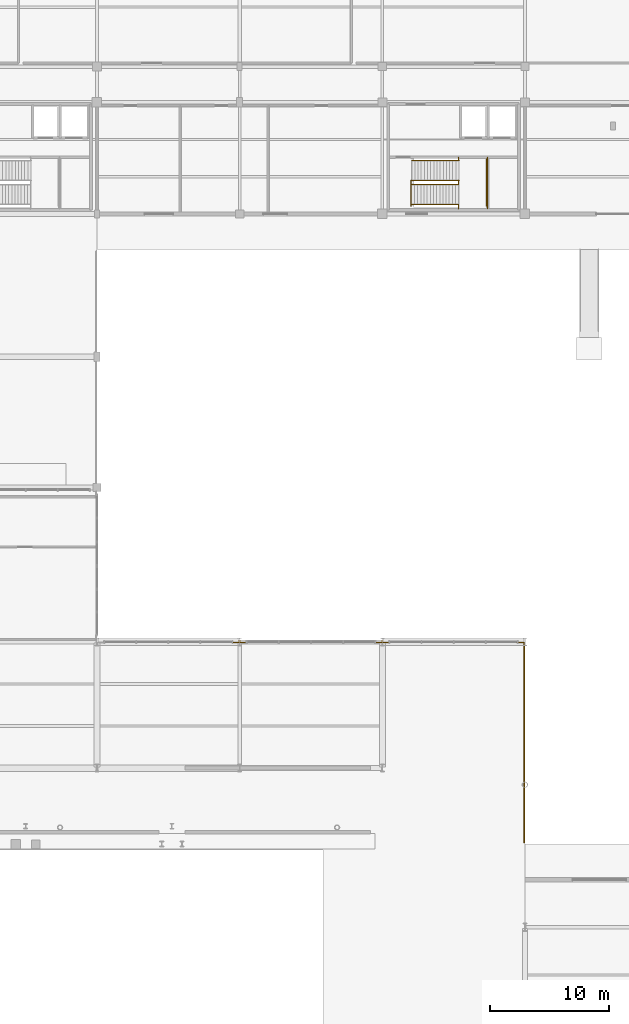
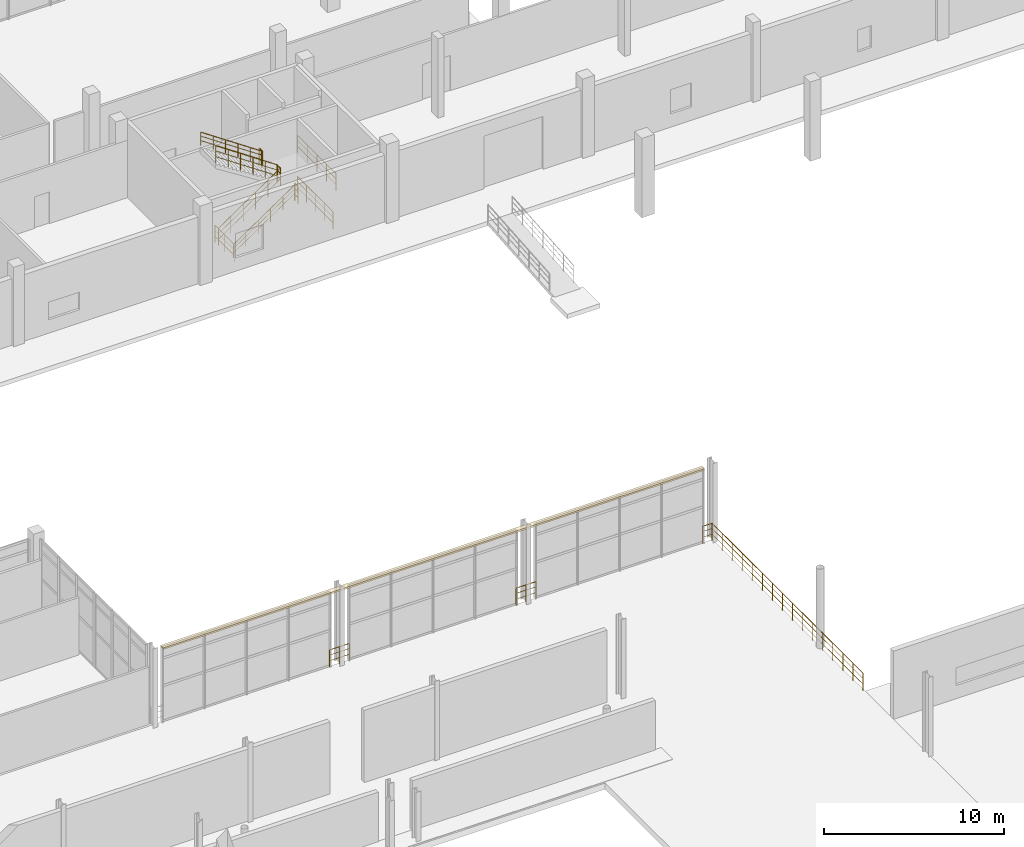
# One storey, part 77 of 85: 14 railings, 1 covering.
"""IFC4 building model written with IfcOpenShell, lengths in metres."""

from ifc_helpers import new_model, si_unit, direction, frame, origin, origin_2d, place, context, subcontext, project, spatial, rectangle, circle, extrude, material, layer, layer_set, type_object, element, save


model = new_model("IFC4")

# Units and contexts
model_context = context("Model", 3, precision=1e-05, world=origin(), true_north=direction((0.0, 1.0)))
body_context = subcontext(model_context, "Body", "Model", "MODEL_VIEW")
ifc_project = project(units=[si_unit("LENGTHUNIT", "METRE"), si_unit("AREAUNIT", "SQUARE_METRE"), si_unit("VOLUMEUNIT", "CUBIC_METRE"), si_unit("PLANEANGLEUNIT", "RADIAN"), si_unit("MASSUNIT", "GRAM", prefix="KILO"), si_unit("THERMODYNAMICTEMPERATUREUNIT", "KELVIN"), si_unit("POWERUNIT", "WATT")], contexts=[model_context])

# Site, building, storey
site_placement = place(None, origin())
site = spatial("IfcSite", under=ifc_project, at=site_placement, CompositionType="ELEMENT")
building_placement = place(site_placement, origin())
building = spatial("IfcBuilding", under=site, at=building_placement, Name="Solmara Park Aquatics Centre", CompositionType="ELEMENT")
storey_placement = place(building_placement, origin())
storey = spatial("IfcBuildingStorey", under=building, at=storey_placement, Name="L00", CompositionType="ELEMENT", Elevation=0.0)

# Covering
ifc_material_1 = material(Name="Golden-Ochre Enamelled Aluminium Soffit Band", Category="aluminium")
ifc_layer_1 = layer(ifc_material_1, 0.1201171875, Name="Golden-Ochre Enamelled Aluminium Soffit Band")
ifc_layer_set_1 = layer_set([ifc_layer_1], Name="Golden-Ochre Enamelled Aluminium Soffit Band")
covering_type = type_object("IfcCoveringType", Name="ARC-COV-OCHRE", PredefinedType="CLADDING", material=ifc_layer_set_1)
covering_placement = place(storey_placement, frame((78.60009765625, 72.60009765625, 4.989990234375), z_axis=(0.0, 0.0, 1.0), x_axis=(1.0, 0.0, 0.0)))
element("IfcCovering", 1, at=covering_placement, inside=storey, type_object=covering_type, Name="Golden-Ochre Entrance Soffit Band 03", PredefinedType="CLADDING", context=body_context, shape_type="SweptSolid", body=[
    extrude(rectangle(XDim=34.800048828125, YDim=0.300048828125, at=origin_2d()), origin(), (0.0, 0.0, 1.0), 0.1201171875),
])

# Railings
ifc_material_2 = material(Name="Brushed Marine-Grade Stainless Steel 316L Handrail", Category="steel")
ifc_layer_2 = layer(ifc_material_2, 0.044921875, Name="Brushed Marine-Grade Stainless Steel 316L Handrail")
ifc_layer_set_2 = layer_set([ifc_layer_2], Name="Brushed Marine-Grade Stainless Steel 316L Handrail")
railing_type_1 = type_object("IfcRailingType", Name="ARC-RL-HND090", PredefinedType="HANDRAIL", material=ifc_layer_set_2)
railing_1_placement = place(storey_placement, frame((87.050048828125, 109.409912109375, 0.168701171875)))
element("IfcRailing", 2, at=railing_1_placement, inside=storey, type_object=railing_type_1, Name="ST-02 Protected Exit Stair (L00 to L01) Flight 1 Outer Handrail", PredefinedType="HANDRAIL", context=body_context, shape_type="SweptSolid", body=[
    extrude(circle(Radius=0.02392578125, at=origin_2d()), frame((0.0, 0.0, 0.89599609375), z_axis=(0.82718817395, 0.0, 0.56192501713), x_axis=(0.0, 1.0, 0.0)), (0.0, 0.0, 1.0), 4.80517578125),
    extrude(circle(Radius=0.01416015625, at=origin_2d()), frame((0.0, 0.0, 0.322021484375), z_axis=(0.82718817395, 0.0, 0.56192501713), x_axis=(0.0, 1.0, 0.0)), (0.0, 0.0, 1.0), 4.80517578125),
    extrude(circle(Radius=0.01416015625, at=origin_2d()), frame((0.0, 0.0, 0.62548828125), z_axis=(0.82718817395, 0.0, 0.56192501713), x_axis=(0.0, 1.0, 0.0)), (0.0, 0.0, 1.0), 4.80517578125),
    extrude(circle(Radius=0.02099609375, at=origin_2d()), origin(), (0.0, 0.0, 1.0), 0.871826171875),
    extrude(circle(Radius=0.02099609375, at=origin_2d()), frame((0.794921875, 0.0, 0.5400390625)), (0.0, 0.0, 1.0), 0.871826171875),
    extrude(circle(Radius=0.02099609375, at=origin_2d()), frame((1.58984375, 0.0, 1.080078125)), (0.0, 0.0, 1.0), 0.871826171875),
    extrude(circle(Radius=0.02099609375, at=origin_2d()), frame((2.385009765625, 0.0, 1.6201171875)), (0.0, 0.0, 1.0), 0.871826171875),
    extrude(circle(Radius=0.02099609375, at=origin_2d()), frame((3.179931640625, 0.0, 2.16015625)), (0.0, 0.0, 1.0), 0.871826171875),
    extrude(circle(Radius=0.02099609375, at=origin_2d()), frame((3.974853515625, 0.0, 2.7001953125)), (0.0, 0.0, 1.0), 0.871826171875),
])
railing_2_placement = place(storey_placement, frame((91.054931640625, 113.090087890625, 2.868896484375)))
element("IfcRailing", 3, at=railing_2_placement, inside=storey, type_object=railing_type_1, Name="ST-02 Protected Exit Stair (L00 to L01) Flight 2 Outer Handrail", PredefinedType="HANDRAIL", context=body_context, shape_type="SweptSolid", body=[
    extrude(circle(Radius=0.02392578125, at=origin_2d()), frame((0.0, 0.0, 0.89599609375), z_axis=(-0.827211789872, 0.0, 0.56189025147), x_axis=(0.0, -1.0, 0.0)), (0.0, 0.0, 1.0), 4.80517578125),
    extrude(circle(Radius=0.01416015625, at=origin_2d()), frame((0.0, 0.0, 0.322021484375), z_axis=(-0.827211789872, 0.0, 0.56189025147), x_axis=(0.0, -1.0, 0.0)), (0.0, 0.0, 1.0), 4.80517578125),
    extrude(circle(Radius=0.01416015625, at=origin_2d()), frame((0.0, 0.0, 0.62548828125), z_axis=(-0.827211789872, 0.0, 0.56189025147), x_axis=(0.0, -1.0, 0.0)), (0.0, 0.0, 1.0), 4.80517578125),
    extrude(circle(Radius=0.02099609375, at=origin_2d()), origin(), (0.0, 0.0, 1.0), 0.871826171875),
    extrude(circle(Radius=0.02099609375, at=origin_2d()), frame((-0.794921875, 0.0, 0.5400390625)), (0.0, 0.0, 1.0), 0.871826171875),
    extrude(circle(Radius=0.02099609375, at=origin_2d()), frame((-1.58984375, 0.0, 1.080078125)), (0.0, 0.0, 1.0), 0.871826171875),
    extrude(circle(Radius=0.02099609375, at=origin_2d()), frame((-2.385009765625, 0.0, 1.619873046875)), (0.0, 0.0, 1.0), 0.871826171875),
    extrude(circle(Radius=0.02099609375, at=origin_2d()), frame((-3.179931640625, 0.0, 2.159912109375)), (0.0, 0.0, 1.0), 0.871826171875),
    extrude(circle(Radius=0.02099609375, at=origin_2d()), frame((-3.974853515625, 0.0, 2.699951171875)), (0.0, 0.0, 1.0), 0.871826171875),
])
ifc_material_3 = material(Name="Toughened Glass and Stainless Steel Stand Guardrail", Category="steel")
ifc_layer_3 = layer(ifc_material_3, 0.06005859375, Name="Toughened Glass and Stainless Steel Stand Guardrail")
ifc_layer_set_3 = layer_set([ifc_layer_3], Name="Toughened Glass and Stainless Steel Stand Guardrail")
railing_type_2 = type_object("IfcRailingType", Name="ARC-RL-STD110", PredefinedType="GUARDRAIL", material=ifc_layer_set_3)
for number, where, name in (
    (4, (71.93994140625, 72.5400390625, 0.0), "L00 Slab Edge Guardrail 003"),
    (5, (83.93994140625, 72.5400390625, 0.0), "L00 Slab Edge Guardrail 004"),
):
    element("IfcRailing", number, at=place(storey_placement, frame(where)), inside=storey, type_object=railing_type_2, Name=name, PredefinedType="GUARDRAIL", context=body_context, shape_type="SweptSolid", body=[
        extrude(circle(Radius=0.02392578125, at=origin_2d()), frame((0.0, 0.0, 1.15576171875), z_axis=(1.0, 0.0, 0.0), x_axis=(0.0, 1.0, 0.0)), (0.0, 0.0, 1.0), 1.280029296875),
        extrude(circle(Radius=0.01416015625, at=origin_2d()), frame((0.0, 0.0, 0.4130859375), z_axis=(1.0, 0.0, 0.0), x_axis=(0.0, 1.0, 0.0)), (0.0, 0.0, 1.0), 1.280029296875),
        extrude(circle(Radius=0.01416015625, at=origin_2d()), frame((0.0, 0.0, 0.80224609375), z_axis=(1.0, 0.0, 0.0), x_axis=(0.0, 1.0, 0.0)), (0.0, 0.0, 1.0), 1.280029296875),
        extrude(circle(Radius=0.02099609375, at=origin_2d()), origin(), (0.0, 0.0, 1.0), 1.1318359375),
        extrude(circle(Radius=0.02099609375, at=origin_2d()), frame((0.64013671875, 0.0, 0.0)), (0.0, 0.0, 1.0), 1.1318359375),
        extrude(circle(Radius=0.02099609375, at=origin_2d()), frame((1.280029296875, 0.0, 0.0)), (0.0, 0.0, 1.0), 1.1318359375),
    ])
railing_3_placement = place(storey_placement, frame((95.93994140625, 72.5400390625, 0.0)))
element("IfcRailing", 6, at=railing_3_placement, inside=storey, type_object=railing_type_2, Name="L00 Slab Edge Guardrail 005", PredefinedType="GUARDRAIL", context=body_context, shape_type="SweptSolid", body=[
    extrude(circle(Radius=0.02392578125, at=origin_2d()), frame((0.0, 0.0, 1.15576171875), z_axis=(1.0, 0.0, 0.0), x_axis=(0.0, 1.0, 0.0)), (0.0, 0.0, 1.0), 0.60009765625),
    extrude(circle(Radius=0.01416015625, at=origin_2d()), frame((0.0, 0.0, 0.4130859375), z_axis=(1.0, 0.0, 0.0), x_axis=(0.0, 1.0, 0.0)), (0.0, 0.0, 1.0), 0.60009765625),
    extrude(circle(Radius=0.01416015625, at=origin_2d()), frame((0.0, 0.0, 0.80224609375), z_axis=(1.0, 0.0, 0.0), x_axis=(0.0, 1.0, 0.0)), (0.0, 0.0, 1.0), 0.60009765625),
    extrude(circle(Radius=0.02099609375, at=origin_2d()), origin(), (0.0, 0.0, 1.0), 1.1318359375),
    extrude(circle(Radius=0.02099609375, at=origin_2d()), frame((0.60009765625, 0.0, 0.0)), (0.0, 0.0, 1.0), 1.1318359375),
])
railing_4_placement = place(storey_placement, frame((96.5400390625, 72.5400390625, 0.0)))
element("IfcRailing", 7, at=railing_4_placement, inside=storey, type_object=railing_type_2, Name="L00 Slab Edge Guardrail 006", PredefinedType="GUARDRAIL", context=body_context, shape_type="SweptSolid", body=[
    extrude(circle(Radius=0.02392578125, at=origin_2d()), frame((0.0, 0.0, 1.15576171875), z_axis=(0.0, -1.0, 0.0), x_axis=(1.0, 0.0, 0.0)), (0.0, 0.0, 1.0), 16.813720703125),
    extrude(circle(Radius=0.01416015625, at=origin_2d()), frame((0.0, 0.0, 0.4130859375), z_axis=(0.0, -1.0, 0.0), x_axis=(1.0, 0.0, 0.0)), (0.0, 0.0, 1.0), 16.813720703125),
    extrude(circle(Radius=0.01416015625, at=origin_2d()), frame((0.0, 0.0, 0.80224609375), z_axis=(0.0, -1.0, 0.0), x_axis=(1.0, 0.0, 0.0)), (0.0, 0.0, 1.0), 16.813720703125),
    extrude(circle(Radius=0.02099609375, at=origin_2d()), origin(), (0.0, 0.0, 1.0), 1.1318359375),
    extrude(circle(Radius=0.02099609375, at=origin_2d()), frame((0.0, -1.120849609375, 0.0)), (0.0, 0.0, 1.0), 1.1318359375),
    extrude(circle(Radius=0.02099609375, at=origin_2d()), frame((0.0, -2.241943359375, 0.0)), (0.0, 0.0, 1.0), 1.1318359375),
    extrude(circle(Radius=0.02099609375, at=origin_2d()), frame((0.0, -3.36279296875, 0.0)), (0.0, 0.0, 1.0), 1.1318359375),
    extrude(circle(Radius=0.02099609375, at=origin_2d()), frame((0.0, -4.483642578125, 0.0)), (0.0, 0.0, 1.0), 1.1318359375),
    extrude(circle(Radius=0.02099609375, at=origin_2d()), frame((0.0, -5.6044921875, 0.0)), (0.0, 0.0, 1.0), 1.1318359375),
    extrude(circle(Radius=0.02099609375, at=origin_2d()), frame((0.0, -6.7255859375, 0.0)), (0.0, 0.0, 1.0), 1.1318359375),
    extrude(circle(Radius=0.02099609375, at=origin_2d()), frame((0.0, -7.846435546875, 0.0)), (0.0, 0.0, 1.0), 1.1318359375),
    extrude(circle(Radius=0.02099609375, at=origin_2d()), frame((0.0, -8.96728515625, 0.0)), (0.0, 0.0, 1.0), 1.1318359375),
    extrude(circle(Radius=0.02099609375, at=origin_2d()), frame((0.0, -10.088134765625, 0.0)), (0.0, 0.0, 1.0), 1.1318359375),
    extrude(circle(Radius=0.02099609375, at=origin_2d()), frame((0.0, -11.209228515625, 0.0)), (0.0, 0.0, 1.0), 1.1318359375),
    extrude(circle(Radius=0.02099609375, at=origin_2d()), frame((0.0, -12.330078125, 0.0)), (0.0, 0.0, 1.0), 1.1318359375),
    extrude(circle(Radius=0.02099609375, at=origin_2d()), frame((0.0, -13.450927734375, 0.0)), (0.0, 0.0, 1.0), 1.1318359375),
    extrude(circle(Radius=0.02099609375, at=origin_2d()), frame((0.0, -14.57177734375, 0.0)), (0.0, 0.0, 1.0), 1.1318359375),
    extrude(circle(Radius=0.02099609375, at=origin_2d()), frame((0.0, -15.69287109375, 0.0)), (0.0, 0.0, 1.0), 1.1318359375),
    extrude(circle(Radius=0.02099609375, at=origin_2d()), frame((0.0, -16.813720703125, 0.0)), (0.0, 0.0, 1.0), 1.1318359375),
])
ifc_material_4 = material(Name="Brushed Stainless Steel Guardrail", Category="steel")
ifc_layer_4 = layer(ifc_material_4, 0.050048828125, Name="Brushed Stainless Steel Guardrail")
ifc_layer_set_4 = layer_set([ifc_layer_4], Name="Brushed Stainless Steel Guardrail")
railing_type_3 = type_object("IfcRailingType", Name="ARC-RL-STR110", PredefinedType="GUARDRAIL", material=ifc_layer_set_4)
railing_5_placement = place(storey_placement, frame((87.030029296875, 109.27001953125, 0.0)))
element("IfcRailing", 8, at=railing_5_placement, inside=storey, type_object=railing_type_3, Name="ST-02 Protected Exit Stair (B1 to L00) Arrival Well Guardrail", PredefinedType="GUARDRAIL", context=body_context, shape_type="SweptSolid", body=[
    extrude(circle(Radius=0.02392578125, at=origin_2d()), frame((0.0, 0.0, 1.15576171875), z_axis=(0.0, 1.0, 0.0), x_axis=(-1.0, 0.0, 0.0)), (0.0, 0.0, 1.0), 2.169921875),
    extrude(circle(Radius=0.01416015625, at=origin_2d()), frame((0.0, 0.0, 0.4130859375), z_axis=(0.0, 1.0, 0.0), x_axis=(-1.0, 0.0, 0.0)), (0.0, 0.0, 1.0), 2.169921875),
    extrude(circle(Radius=0.01416015625, at=origin_2d()), frame((0.0, 0.0, 0.80224609375), z_axis=(0.0, 1.0, 0.0), x_axis=(-1.0, 0.0, 0.0)), (0.0, 0.0, 1.0), 2.169921875),
    extrude(circle(Radius=0.02099609375, at=origin_2d()), origin(), (0.0, 0.0, 1.0), 1.1318359375),
    extrude(circle(Radius=0.02099609375, at=origin_2d()), frame((0.0, 1.0849609375, 0.0)), (0.0, 0.0, 1.0), 1.1318359375),
    extrude(circle(Radius=0.02099609375, at=origin_2d()), frame((0.0, 2.169921875, 0.0)), (0.0, 0.0, 1.0), 1.1318359375),
])
railing_6_placement = place(storey_placement, frame((93.3798828125, 109.27001953125, 0.0)))
element("IfcRailing", 9, at=railing_6_placement, inside=storey, type_object=railing_type_3, Name="ST-02 Protected Exit Stair (B1 to L00) Far Well Edge Guardrail", PredefinedType="GUARDRAIL", context=body_context, shape_type="SweptSolid", body=[
    extrude(circle(Radius=0.02392578125, at=origin_2d()), frame((0.0, 0.0, 1.15576171875), z_axis=(0.0, 1.0, 0.0), x_axis=(-1.0, 0.0, 0.0)), (0.0, 0.0, 1.0), 3.9599609375),
    extrude(circle(Radius=0.01416015625, at=origin_2d()), frame((0.0, 0.0, 0.4130859375), z_axis=(0.0, 1.0, 0.0), x_axis=(-1.0, 0.0, 0.0)), (0.0, 0.0, 1.0), 3.9599609375),
    extrude(circle(Radius=0.01416015625, at=origin_2d()), frame((0.0, 0.0, 0.80224609375), z_axis=(0.0, 1.0, 0.0), x_axis=(-1.0, 0.0, 0.0)), (0.0, 0.0, 1.0), 3.9599609375),
    extrude(circle(Radius=0.02099609375, at=origin_2d()), origin(), (0.0, 0.0, 1.0), 1.1318359375),
    extrude(circle(Radius=0.02099609375, at=origin_2d()), frame((0.0, 0.989990234375, 0.0)), (0.0, 0.0, 1.0), 1.1318359375),
    extrude(circle(Radius=0.02099609375, at=origin_2d()), frame((0.0, 1.97998046875, 0.0)), (0.0, 0.0, 1.0), 1.1318359375),
    extrude(circle(Radius=0.02099609375, at=origin_2d()), frame((0.0, 2.969970703125, 0.0)), (0.0, 0.0, 1.0), 1.1318359375),
    extrude(circle(Radius=0.02099609375, at=origin_2d()), frame((0.0, 3.9599609375, 0.0)), (0.0, 0.0, 1.0), 1.1318359375),
])
railing_7_placement = place(storey_placement, frame((87.050048828125, 111.080078125, 0.0)))
element("IfcRailing", 10, at=railing_7_placement, inside=storey, type_object=railing_type_3, Name="ST-02 Protected Exit Stair (L00 to L01) Flight 1 Inner Guardrail", PredefinedType="GUARDRAIL", context=body_context, shape_type="SweptSolid", body=[
    extrude(circle(Radius=0.02392578125, at=origin_2d()), frame((0.0, 0.0, 1.15576171875), z_axis=(0.827211789872, 0.0, 0.56189025147), x_axis=(0.0, 1.0, 0.0)), (0.0, 0.0, 1.0), 4.80517578125),
    extrude(circle(Radius=0.01416015625, at=origin_2d()), frame((0.0, 0.0, 0.4130859375), z_axis=(0.827211789872, 0.0, 0.56189025147), x_axis=(0.0, 1.0, 0.0)), (0.0, 0.0, 1.0), 4.80517578125),
    extrude(circle(Radius=0.01416015625, at=origin_2d()), frame((0.0, 0.0, 0.80224609375), z_axis=(0.827211789872, 0.0, 0.56189025147), x_axis=(0.0, 1.0, 0.0)), (0.0, 0.0, 1.0), 4.80517578125),
    extrude(circle(Radius=0.02099609375, at=origin_2d()), origin(), (0.0, 0.0, 1.0), 1.1318359375),
    extrude(circle(Radius=0.02099609375, at=origin_2d()), frame((0.794921875, 0.0, 0.5400390625)), (0.0, 0.0, 1.0), 1.1318359375),
    extrude(circle(Radius=0.02099609375, at=origin_2d()), frame((1.58984375, 0.0, 1.080078125)), (0.0, 0.0, 1.0), 1.1318359375),
    extrude(circle(Radius=0.02099609375, at=origin_2d()), frame((2.385009765625, 0.0, 1.619873046875)), (0.0, 0.0, 1.0), 1.1318359375),
    extrude(circle(Radius=0.02099609375, at=origin_2d()), frame((3.179931640625, 0.0, 2.159912109375)), (0.0, 0.0, 1.0), 1.1318359375),
    extrude(circle(Radius=0.02099609375, at=origin_2d()), frame((3.974853515625, 0.0, 2.699951171875)), (0.0, 0.0, 1.0), 1.1318359375),
])
railing_8_placement = place(storey_placement, frame((91.054931640625, 111.419921875, 2.699951171875)))
element("IfcRailing", 11, at=railing_8_placement, inside=storey, type_object=railing_type_3, Name="ST-02 Protected Exit Stair (L00 to L01) Flight 2 Inner Guardrail", PredefinedType="GUARDRAIL", context=body_context, shape_type="SweptSolid", body=[
    extrude(circle(Radius=0.02392578125, at=origin_2d()), frame((0.0, 0.0, 1.15576171875), z_axis=(-0.827211789872, 0.0, 0.56189025147), x_axis=(0.0, -1.0, 0.0)), (0.0, 0.0, 1.0), 4.80517578125),
    extrude(circle(Radius=0.01416015625, at=origin_2d()), frame((0.0, 0.0, 0.4130859375), z_axis=(-0.827211789872, 0.0, 0.56189025147), x_axis=(0.0, -1.0, 0.0)), (0.0, 0.0, 1.0), 4.80517578125),
    extrude(circle(Radius=0.01416015625, at=origin_2d()), frame((0.0, 0.0, 0.80224609375), z_axis=(-0.827211789872, 0.0, 0.56189025147), x_axis=(0.0, -1.0, 0.0)), (0.0, 0.0, 1.0), 4.80517578125),
    extrude(circle(Radius=0.02099609375, at=origin_2d()), origin(), (0.0, 0.0, 1.0), 1.1318359375),
    extrude(circle(Radius=0.02099609375, at=origin_2d()), frame((-0.794921875, 0.0, 0.5400390625)), (0.0, 0.0, 1.0), 1.1318359375),
    extrude(circle(Radius=0.02099609375, at=origin_2d()), frame((-1.58984375, 0.0, 1.080078125)), (0.0, 0.0, 1.0), 1.1318359375),
    extrude(circle(Radius=0.02099609375, at=origin_2d()), frame((-2.385009765625, 0.0, 1.619873046875)), (0.0, 0.0, 1.0), 1.1318359375),
    extrude(circle(Radius=0.02099609375, at=origin_2d()), frame((-3.179931640625, 0.0, 2.159912109375)), (0.0, 0.0, 1.0), 1.1318359375),
    extrude(circle(Radius=0.02099609375, at=origin_2d()), frame((-3.974853515625, 0.0, 2.699951171875)), (0.0, 0.0, 1.0), 1.1318359375),
])
railing_9_placement = place(storey_placement, frame((91.02490234375, 111.06005859375, 2.699951171875)))
element("IfcRailing", 12, at=railing_9_placement, inside=storey, type_object=railing_type_3, Name="ST-02 Protected Exit Stair (L00 to L01) Half-Landing Well Guardrail", PredefinedType="GUARDRAIL", context=body_context, shape_type="SweptSolid", body=[
    extrude(circle(Radius=0.02392578125, at=origin_2d()), frame((0.0, 0.0, 1.15576171875), z_axis=(0.0, 1.0, 0.0), x_axis=(-1.0, 0.0, 0.0)), (0.0, 0.0, 1.0), 0.3798828125),
    extrude(circle(Radius=0.01416015625, at=origin_2d()), frame((0.0, 0.0, 0.4130859375), z_axis=(0.0, 1.0, 0.0), x_axis=(-1.0, 0.0, 0.0)), (0.0, 0.0, 1.0), 0.3798828125),
    extrude(circle(Radius=0.01416015625, at=origin_2d()), frame((0.0, 0.0, 0.80224609375), z_axis=(0.0, 1.0, 0.0), x_axis=(-1.0, 0.0, 0.0)), (0.0, 0.0, 1.0), 0.3798828125),
    extrude(circle(Radius=0.02099609375, at=origin_2d()), origin(), (0.0, 0.0, 1.0), 1.1318359375),
    extrude(circle(Radius=0.02099609375, at=origin_2d()), frame((0.0, 0.3798828125, 0.0)), (0.0, 0.0, 1.0), 1.1318359375),
])
railing_10_placement = place(storey_placement, frame((90.9951171875, 109.0400390625, 2.699951171875)))
element("IfcRailing", 13, at=railing_10_placement, inside=storey, type_object=railing_type_3, Name="ST-02 Protected Exit Stair (L00 to L01) Half-Landing South Slot Guardrail", PredefinedType="GUARDRAIL", context=body_context, shape_type="SweptSolid", body=[
    extrude(circle(Radius=0.02392578125, at=origin_2d()), frame((0.0, 0.0, 1.15576171875), z_axis=(0.0, 1.0, 0.0), x_axis=(-1.0, 0.0, 0.0)), (0.0, 0.0, 1.0), 0.35986328125),
    extrude(circle(Radius=0.01416015625, at=origin_2d()), frame((0.0, 0.0, 0.4130859375), z_axis=(0.0, 1.0, 0.0), x_axis=(-1.0, 0.0, 0.0)), (0.0, 0.0, 1.0), 0.35986328125),
    extrude(circle(Radius=0.01416015625, at=origin_2d()), frame((0.0, 0.0, 0.80224609375), z_axis=(0.0, 1.0, 0.0), x_axis=(-1.0, 0.0, 0.0)), (0.0, 0.0, 1.0), 0.35986328125),
    extrude(circle(Radius=0.02099609375, at=origin_2d()), origin(), (0.0, 0.0, 1.0), 1.1318359375),
    extrude(circle(Radius=0.02099609375, at=origin_2d()), frame((0.0, 0.35986328125, 0.0)), (0.0, 0.0, 1.0), 1.1318359375),
])
railing_11_placement = place(storey_placement, frame((90.9951171875, 113.10009765625, 2.699951171875)))
element("IfcRailing", 14, at=railing_11_placement, inside=storey, type_object=railing_type_3, Name="ST-02 Protected Exit Stair (L00 to L01) Half-Landing North Slot Guardrail", PredefinedType="GUARDRAIL", context=body_context, shape_type="SweptSolid", body=[
    extrude(circle(Radius=0.02392578125, at=origin_2d()), frame((0.0, 0.0, 1.15576171875), z_axis=(0.0, 1.0, 0.0), x_axis=(-1.0, 0.0, 0.0)), (0.0, 0.0, 1.0), 0.260009765625),
    extrude(circle(Radius=0.01416015625, at=origin_2d()), frame((0.0, 0.0, 0.4130859375), z_axis=(0.0, 1.0, 0.0), x_axis=(-1.0, 0.0, 0.0)), (0.0, 0.0, 1.0), 0.260009765625),
    extrude(circle(Radius=0.01416015625, at=origin_2d()), frame((0.0, 0.0, 0.80224609375), z_axis=(0.0, 1.0, 0.0), x_axis=(-1.0, 0.0, 0.0)), (0.0, 0.0, 1.0), 0.260009765625),
    extrude(circle(Radius=0.02099609375, at=origin_2d()), origin(), (0.0, 0.0, 1.0), 1.1318359375),
    extrude(circle(Radius=0.02099609375, at=origin_2d()), frame((0.0, 0.260009765625, 0.0)), (0.0, 0.0, 1.0), 1.1318359375),
])
railing_12_placement = place(storey_placement, frame((93.449951171875, 109.06005859375, 2.699951171875)))
element("IfcRailing", 15, at=railing_12_placement, inside=storey, type_object=railing_type_3, Name="ST-02 Protected Exit Stair (L00 to L01) Half-Landing Outer Guardrail", PredefinedType="GUARDRAIL", context=body_context, shape_type="SweptSolid", body=[
    extrude(circle(Radius=0.02392578125, at=origin_2d()), frame((0.0, 0.0, 1.15576171875), z_axis=(0.0, 1.0, 0.0), x_axis=(-1.0, 0.0, 0.0)), (0.0, 0.0, 1.0), 4.280029296875),
    extrude(circle(Radius=0.01416015625, at=origin_2d()), frame((0.0, 0.0, 0.4130859375), z_axis=(0.0, 1.0, 0.0), x_axis=(-1.0, 0.0, 0.0)), (0.0, 0.0, 1.0), 4.280029296875),
    extrude(circle(Radius=0.01416015625, at=origin_2d()), frame((0.0, 0.0, 0.80224609375), z_axis=(0.0, 1.0, 0.0), x_axis=(-1.0, 0.0, 0.0)), (0.0, 0.0, 1.0), 4.280029296875),
    extrude(circle(Radius=0.02099609375, at=origin_2d()), origin(), (0.0, 0.0, 1.0), 1.1318359375),
    extrude(circle(Radius=0.02099609375, at=origin_2d()), frame((0.0, 1.070068359375, 0.0)), (0.0, 0.0, 1.0), 1.1318359375),
    extrude(circle(Radius=0.02099609375, at=origin_2d()), frame((0.0, 2.14013671875, 0.0)), (0.0, 0.0, 1.0), 1.1318359375),
    extrude(circle(Radius=0.02099609375, at=origin_2d()), frame((0.0, 3.2099609375, 0.0)), (0.0, 0.0, 1.0), 1.1318359375),
    extrude(circle(Radius=0.02099609375, at=origin_2d()), frame((0.0, 4.280029296875, 0.0)), (0.0, 0.0, 1.0), 1.1318359375),
])

save(model, "model.ifc")
